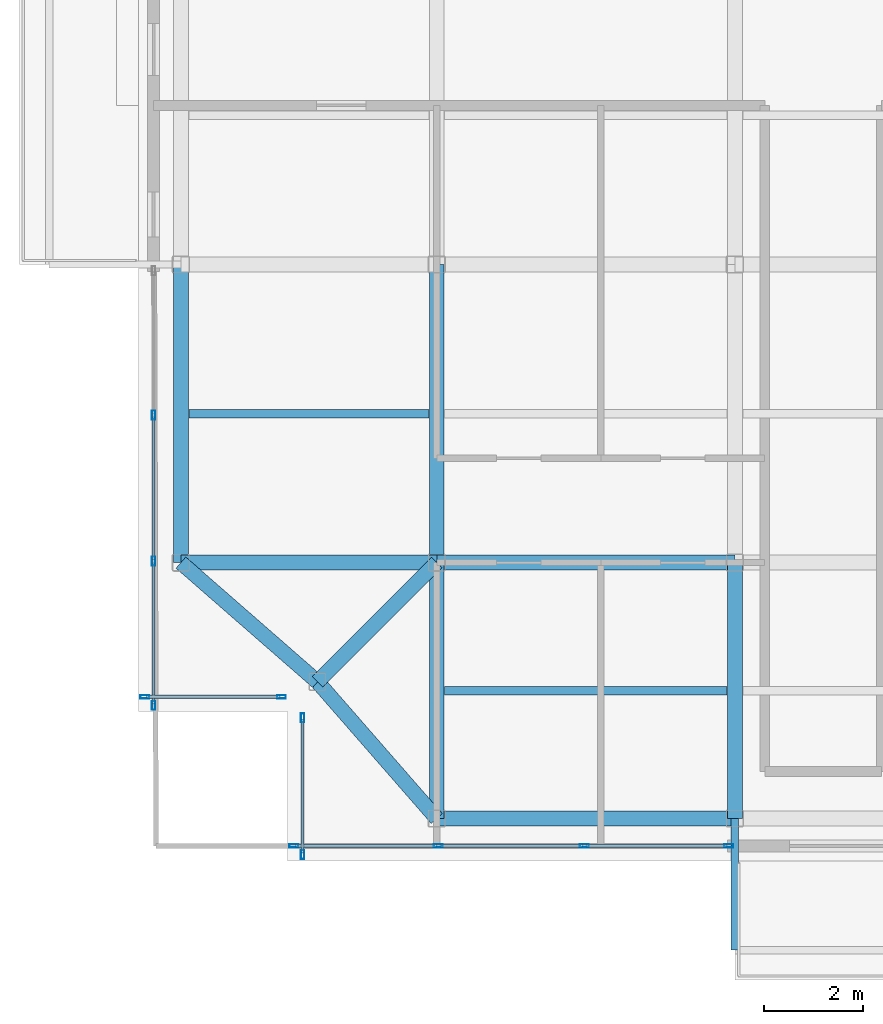
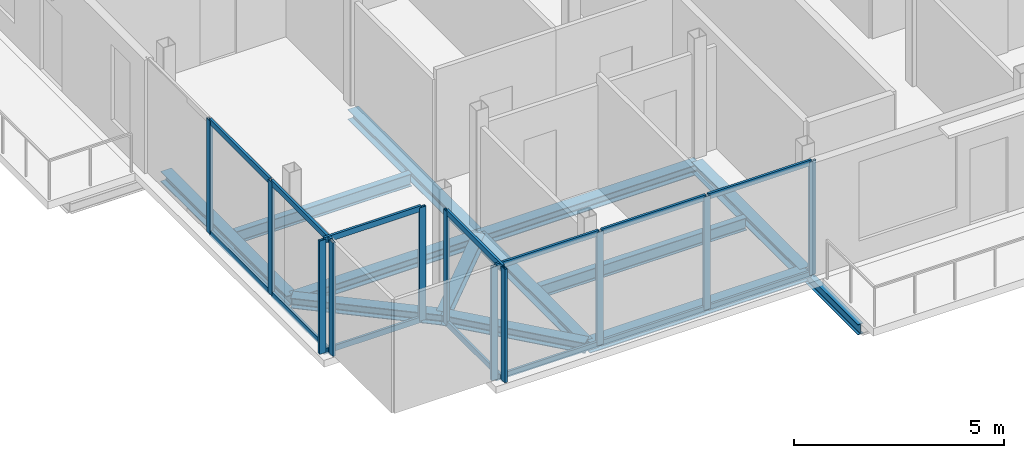
# One storey, part 2 of 18: 25 members, 13 beams, 4 elements without a shape of their own.
"""IFC4 building model written with IfcOpenShell, lengths in metres."""

from ifc_helpers import new_model, si_unit, direction, frame, origin, origin_2d, place, context, subcontext, project, spatial, hollow_rectangle, i_section, extrude, material, layer, layer_set, material_profile, profile_set, type_object, element, aggregate, save


model = new_model("IFC4")

# Units and contexts
model_context = context("Model", 3, precision=1e-05, world=origin(), true_north=direction((0.0, 1.0)))
body_context = subcontext(model_context, "Body", "Model", "MODEL_VIEW")
ifc_project = project(units=[si_unit("LENGTHUNIT", "METRE"), si_unit("AREAUNIT", "SQUARE_METRE"), si_unit("VOLUMEUNIT", "CUBIC_METRE"), si_unit("PLANEANGLEUNIT", "RADIAN"), si_unit("MASSUNIT", "GRAM", prefix="KILO"), si_unit("THERMODYNAMICTEMPERATUREUNIT", "KELVIN"), si_unit("POWERUNIT", "WATT")], contexts=[model_context])

# Site, building, storey
site_placement = place(None, origin())
site = spatial("IfcSite", under=ifc_project, at=site_placement, CompositionType="ELEMENT")
building_placement = place(site_placement, origin())
building = spatial("IfcBuilding", under=site, at=building_placement, Name="Svarakhadi Broadcast Tower", CompositionType="ELEMENT")
storey_placement = place(building_placement, frame((0.0, 0.0, 253.699951171875)))
storey = spatial("IfcBuildingStorey", under=building, at=storey_placement, Name="L63", CompositionType="ELEMENT", Elevation=253.699951171875)

# Beams
ifc_material_1 = material(Name="Steel S355J2 (IS 2062 E350C)", Category="steel")
ifc_material_profile_1 = material_profile(ifc_material_1, i_section(OverallWidth=0.169921875, OverallDepth=0.360107421875, WebThickness=0.008056640625, FlangeThickness=0.0126953125, FilletRadius=0.01806640625, at=origin_2d()), Name="NPB 360x170x57")
ifc_profile_set_1 = profile_set([ifc_material_profile_1], Name="Steel S355J2 (IS 2062 E350C)")
beam_type_1 = type_object("IfcBeamType", Name="Beam_NPB360", PredefinedType="BEAM", material=ifc_profile_set_1)
beam_1_placement = place(storey_placement, frame((1.010009765625, 9.0, -0.3798828125), z_axis=(1.0, 0.0, 0.0), x_axis=(0.0, 1.0, 0.0)))
element("IfcBeam", 1, at=beam_1_placement, inside=storey, type_object=beam_type_1, Name="L63 Secondary Composite Beam SB001", PredefinedType="BEAM", context=body_context, shape_type="SweptSolid", body=[
    extrude(i_section(OverallWidth=0.169921875, OverallDepth=0.360107421875, WebThickness=0.008056640625, FlangeThickness=0.0126953125, FilletRadius=0.01806640625, at=origin_2d()), origin(), (0.0, 0.0, 1.0), 4.830078125),
])
beam_2_placement = place(storey_placement, frame((6.159912109375, 3.425048828125, -0.3798828125), z_axis=(1.0, 0.0, 0.0), x_axis=(0.0, 1.0, 0.0)))
element("IfcBeam", 2, at=beam_2_placement, inside=storey, type_object=beam_type_1, Name="L63 Secondary Composite Beam SB004", PredefinedType="BEAM", context=body_context, shape_type="SweptSolid", body=[
    extrude(i_section(OverallWidth=0.169921875, OverallDepth=0.360107421875, WebThickness=0.008056640625, FlangeThickness=0.0126953125, FilletRadius=0.01806640625, at=origin_2d()), origin(), (0.0, 0.0, 1.0), 5.68017578125),
])

# Curtain wall, members
ifc_material_2 = material(Name="Anodised Bronze Aluminium AA 6063-T6", Category="aluminium")
ifc_layer = layer(ifc_material_2, 0.179931640625)
ifc_layer_set = layer_set([ifc_layer], Name="Anodised Bronze Aluminium AA 6063-T6")
curtain_wall_type = type_object("IfcCurtainWallType", Name="CW_Sys_05", PredefinedType="NOTDEFINED", material=ifc_layer_set)
curtain_wall_1_placement = place(storey_placement, origin())
curtain_wall_1 = element("IfcCurtainWall", 3, at=curtain_wall_1_placement, inside=storey, type_object=curtain_wall_type, Name="L63 Unitised Facade Curtain Wall 01", PredefinedType="NOTDEFINED")
ifc_material_profile_2 = material_profile(ifc_material_2, hollow_rectangle(XDim=0.070068359375, YDim=0.179931640625, WallThickness=0.005615234375, at=origin_2d()), Name="ALU MULLION 180x70x6")
ifc_profile_set_2 = profile_set([ifc_material_profile_2], Name="Anodised Bronze Aluminium AA 6063-T6")
member_type_1 = type_object("IfcMemberType", Name="CW_Sys_05_Mul", PredefinedType="MULLION", material=ifc_profile_set_2)
member_1_placement = place(storey_placement, frame((2.875, 3.300048828125, 0.0), z_axis=(0.0, 0.0, 1.0), x_axis=(0.0, -1.0, 0.0)))
member_1 = element("IfcMember", 4, at=member_1_placement, type_object=member_type_1, Name="CW-05 mullion 1", PredefinedType="MULLION", context=body_context, shape_type="SweptSolid", body=[
    extrude(hollow_rectangle(XDim=0.070068359375, YDim=0.179931640625, WallThickness=0.005615234375, at=origin_2d()), origin(), (0.0, 0.0, 1.0), 3.300048828125),
])
member_2_placement = place(storey_placement, frame((0.125, 3.300048828125, 0.0), z_axis=(0.0, 0.0, 1.0), x_axis=(0.0, -1.0, 0.0)))
member_2 = element("IfcMember", 5, at=member_2_placement, type_object=member_type_1, Name="CW-05 mullion 2", PredefinedType="MULLION", context=body_context, shape_type="SweptSolid", body=[
    extrude(hollow_rectangle(XDim=0.070068359375, YDim=0.179931640625, WallThickness=0.005615234375, at=origin_2d()), origin(), (0.0, 0.0, 1.0), 3.300048828125),
])

curtain_wall_2_placement = place(storey_placement, origin())
curtain_wall_2 = element("IfcCurtainWall", 6, at=curtain_wall_2_placement, inside=storey, type_object=curtain_wall_type, Name="L63 West Curtain Wall 02", PredefinedType="NOTDEFINED")
member_3_placement = place(storey_placement, frame((0.300048828125, 3.125, 0.0), z_axis=(0.0, 0.0, 1.0), x_axis=(-1.0, 0.0, 0.0)))
member_3 = element("IfcMember", 7, at=member_3_placement, type_object=member_type_1, Name="CW-05 mullion 1", PredefinedType="MULLION", context=body_context, shape_type="SweptSolid", body=[
    extrude(hollow_rectangle(XDim=0.070068359375, YDim=0.179931640625, WallThickness=0.005615234375, at=origin_2d()), origin(), (0.0, 0.0, 1.0), 3.300048828125),
])
member_4_placement = place(storey_placement, frame((0.300048828125, 6.030029296875, 0.0), z_axis=(0.0, 0.0, 1.0), x_axis=(-1.0, 0.0, 0.0)))
member_4 = element("IfcMember", 8, at=member_4_placement, type_object=member_type_1, Name="CW-05 mullion 2", PredefinedType="MULLION", context=body_context, shape_type="SweptSolid", body=[
    extrude(hollow_rectangle(XDim=0.070068359375, YDim=0.179931640625, WallThickness=0.005615234375, at=origin_2d()), origin(), (0.0, 0.0, 1.0), 3.300048828125),
])
member_5_placement = place(storey_placement, frame((0.300048828125, 8.969970703125, 0.0), z_axis=(0.0, 0.0, 1.0), x_axis=(-1.0, 0.0, 0.0)))
member_5 = element("IfcMember", 9, at=member_5_placement, type_object=member_type_1, Name="CW-05 mullion 3", PredefinedType="MULLION", context=body_context, shape_type="SweptSolid", body=[
    extrude(hollow_rectangle(XDim=0.070068359375, YDim=0.179931640625, WallThickness=0.005615234375, at=origin_2d()), origin(), (0.0, 0.0, 1.0), 3.300048828125),
])

curtain_wall_3_placement = place(storey_placement, origin())
curtain_wall_3 = element("IfcCurtainWall", 10, at=curtain_wall_3_placement, inside=storey, type_object=curtain_wall_type, Name="L63 South Curtain Wall 17", PredefinedType="NOTDEFINED")
member_6_placement = place(storey_placement, frame((11.875, 0.300048828125, 0.0), z_axis=(0.0, 0.0, 1.0), x_axis=(0.0, -1.0, 0.0)))
member_6 = element("IfcMember", 11, at=member_6_placement, type_object=member_type_1, Name="CW-05 mullion 1", PredefinedType="MULLION", context=body_context, shape_type="SweptSolid", body=[
    extrude(hollow_rectangle(XDim=0.070068359375, YDim=0.179931640625, WallThickness=0.005615234375, at=origin_2d()), origin(), (0.0, 0.0, 1.0), 3.300048828125),
])
member_7_placement = place(storey_placement, frame((8.969970703125, 0.300048828125, 0.0), z_axis=(0.0, 0.0, 1.0), x_axis=(0.0, -1.0, 0.0)))
member_7 = element("IfcMember", 12, at=member_7_placement, type_object=member_type_1, Name="CW-05 mullion 2", PredefinedType="MULLION", context=body_context, shape_type="SweptSolid", body=[
    extrude(hollow_rectangle(XDim=0.070068359375, YDim=0.179931640625, WallThickness=0.005615234375, at=origin_2d()), origin(), (0.0, 0.0, 1.0), 3.300048828125),
])
member_8_placement = place(storey_placement, frame((6.030029296875, 0.300048828125, 0.0), z_axis=(0.0, 0.0, 1.0), x_axis=(0.0, -1.0, 0.0)))
member_8 = element("IfcMember", 13, at=member_8_placement, type_object=member_type_1, Name="CW-05 mullion 3", PredefinedType="MULLION", context=body_context, shape_type="SweptSolid", body=[
    extrude(hollow_rectangle(XDim=0.070068359375, YDim=0.179931640625, WallThickness=0.005615234375, at=origin_2d()), origin(), (0.0, 0.0, 1.0), 3.300048828125),
])
member_9_placement = place(storey_placement, frame((3.125, 0.300048828125, 0.0), z_axis=(0.0, 0.0, 1.0), x_axis=(0.0, -1.0, 0.0)))
member_9 = element("IfcMember", 14, at=member_9_placement, type_object=member_type_1, Name="CW-05 mullion 4", PredefinedType="MULLION", context=body_context, shape_type="SweptSolid", body=[
    extrude(hollow_rectangle(XDim=0.070068359375, YDim=0.179931640625, WallThickness=0.005615234375, at=origin_2d()), origin(), (0.0, 0.0, 1.0), 3.300048828125),
])

curtain_wall_4_placement = place(storey_placement, origin())
curtain_wall_4 = element("IfcCurtainWall", 15, at=curtain_wall_4_placement, inside=storey, type_object=curtain_wall_type, Name="L63 Unitised Facade Curtain Wall 18", PredefinedType="NOTDEFINED")
member_10_placement = place(storey_placement, frame((3.300048828125, 0.125, 0.0), z_axis=(0.0, 0.0, 1.0), x_axis=(-1.0, 0.0, 0.0)))
member_10 = element("IfcMember", 16, at=member_10_placement, type_object=member_type_1, Name="CW-05 mullion 1", PredefinedType="MULLION", context=body_context, shape_type="SweptSolid", body=[
    extrude(hollow_rectangle(XDim=0.070068359375, YDim=0.179931640625, WallThickness=0.005615234375, at=origin_2d()), origin(), (0.0, 0.0, 1.0), 3.300048828125),
])
member_11_placement = place(storey_placement, frame((3.300048828125, 2.875, 0.0), z_axis=(0.0, 0.0, 1.0), x_axis=(-1.0, 0.0, 0.0)))
member_11 = element("IfcMember", 17, at=member_11_placement, type_object=member_type_1, Name="CW-05 mullion 2", PredefinedType="MULLION", context=body_context, shape_type="SweptSolid", body=[
    extrude(hollow_rectangle(XDim=0.070068359375, YDim=0.179931640625, WallThickness=0.005615234375, at=origin_2d()), origin(), (0.0, 0.0, 1.0), 3.300048828125),
])

# Member
ifc_material_profile_3 = material_profile(ifc_material_2, hollow_rectangle(XDim=0.06494140625, YDim=0.1650390625, WallThickness=0.0048828125, at=origin_2d()), Name="ALU TRANSOM 165x65x5")
ifc_profile_set_3 = profile_set([ifc_material_profile_3], Name="Anodised Bronze Aluminium AA 6063-T6")
member_type_2 = type_object("IfcMemberType", Name="CW_Sys_05_Trn", PredefinedType="USERDEFINED", material=ifc_profile_set_3)
member_12_placement = place(storey_placement, frame((2.840087890625, 3.300048828125, 0.032470703125), z_axis=(-1.0, 0.0, 0.0), x_axis=(0.0, -1.0, 0.0)))
member_12 = element("IfcMember", 18, at=member_12_placement, type_object=member_type_2, Name="CW-05 transom 1.1", ObjectType="TRANSOM", PredefinedType="USERDEFINED", context=body_context, shape_type="SweptSolid", body=[
    extrude(hollow_rectangle(XDim=0.06494140625, YDim=0.1650390625, WallThickness=0.0048828125, at=origin_2d()), origin(), (0.0, 0.0, 1.0), 2.68017578125),
])

member_13_placement = place(storey_placement, frame((2.840087890625, 3.300048828125, 3.267578125), z_axis=(-1.0, 0.0, 0.0), x_axis=(0.0, -1.0, 0.0)))
member_13 = element("IfcMember", 19, at=member_13_placement, type_object=member_type_2, Name="CW-05 transom 1.2", ObjectType="TRANSOM", PredefinedType="USERDEFINED", context=body_context, shape_type="SweptSolid", body=[
    extrude(hollow_rectangle(XDim=0.06494140625, YDim=0.1650390625, WallThickness=0.0048828125, at=origin_2d()), origin(), (0.0, 0.0, 1.0), 2.68017578125),
])

aggregate(curtain_wall_1, [member_1, member_2, member_12, member_13])

member_14_placement = place(storey_placement, frame((0.300048828125, 3.159912109375, 0.032470703125), z_axis=(0.0, 1.0, 0.0), x_axis=(-1.0, 0.0, 0.0)))
member_14 = element("IfcMember", 20, at=member_14_placement, type_object=member_type_2, Name="CW-05 transom 1.1", ObjectType="TRANSOM", PredefinedType="USERDEFINED", context=body_context, shape_type="SweptSolid", body=[
    extrude(hollow_rectangle(XDim=0.06494140625, YDim=0.1650390625, WallThickness=0.0048828125, at=origin_2d()), origin(), (0.0, 0.0, 1.0), 2.835205078125),
])

member_15_placement = place(storey_placement, frame((0.300048828125, 3.159912109375, 3.267578125), z_axis=(0.0, 1.0, 0.0), x_axis=(-1.0, 0.0, 0.0)))
member_15 = element("IfcMember", 21, at=member_15_placement, type_object=member_type_2, Name="CW-05 transom 1.2", ObjectType="TRANSOM", PredefinedType="USERDEFINED", context=body_context, shape_type="SweptSolid", body=[
    extrude(hollow_rectangle(XDim=0.06494140625, YDim=0.1650390625, WallThickness=0.0048828125, at=origin_2d()), origin(), (0.0, 0.0, 1.0), 2.835205078125),
])

member_16_placement = place(storey_placement, frame((0.300048828125, 6.06494140625, 0.032470703125), z_axis=(0.0, 1.0, 0.0), x_axis=(-1.0, 0.0, 0.0)))
member_16 = element("IfcMember", 22, at=member_16_placement, type_object=member_type_2, Name="CW-05 transom 2.1", ObjectType="TRANSOM", PredefinedType="USERDEFINED", context=body_context, shape_type="SweptSolid", body=[
    extrude(hollow_rectangle(XDim=0.06494140625, YDim=0.1650390625, WallThickness=0.0048828125, at=origin_2d()), origin(), (0.0, 0.0, 1.0), 2.8701171875),
])

member_17_placement = place(storey_placement, frame((0.300048828125, 6.06494140625, 3.267578125), z_axis=(0.0, 1.0, 0.0), x_axis=(-1.0, 0.0, 0.0)))
member_17 = element("IfcMember", 23, at=member_17_placement, type_object=member_type_2, Name="CW-05 transom 2.2", ObjectType="TRANSOM", PredefinedType="USERDEFINED", context=body_context, shape_type="SweptSolid", body=[
    extrude(hollow_rectangle(XDim=0.06494140625, YDim=0.1650390625, WallThickness=0.0048828125, at=origin_2d()), origin(), (0.0, 0.0, 1.0), 2.8701171875),
])

aggregate(curtain_wall_2, [member_3, member_4, member_5, member_14, member_15, member_16, member_17])

member_18_placement = place(storey_placement, frame((11.840087890625, 0.300048828125, 0.032470703125), z_axis=(-1.0, 0.0, 0.0), x_axis=(0.0, -1.0, 0.0)))
member_18 = element("IfcMember", 24, at=member_18_placement, type_object=member_type_2, Name="CW-05 transom 1.1", ObjectType="TRANSOM", PredefinedType="USERDEFINED", context=body_context, shape_type="SweptSolid", body=[
    extrude(hollow_rectangle(XDim=0.06494140625, YDim=0.1650390625, WallThickness=0.0048828125, at=origin_2d()), origin(), (0.0, 0.0, 1.0), 2.835205078125),
])

member_19_placement = place(storey_placement, frame((11.840087890625, 0.300048828125, 3.267578125), z_axis=(-1.0, 0.0, 0.0), x_axis=(0.0, -1.0, 0.0)))
member_19 = element("IfcMember", 25, at=member_19_placement, type_object=member_type_2, Name="CW-05 transom 1.2", ObjectType="TRANSOM", PredefinedType="USERDEFINED", context=body_context, shape_type="SweptSolid", body=[
    extrude(hollow_rectangle(XDim=0.06494140625, YDim=0.1650390625, WallThickness=0.0048828125, at=origin_2d()), origin(), (0.0, 0.0, 1.0), 2.835205078125),
])

member_20_placement = place(storey_placement, frame((8.93505859375, 0.300048828125, 0.032470703125), z_axis=(-1.0, 0.0, 0.0), x_axis=(0.0, -1.0, 0.0)))
member_20 = element("IfcMember", 26, at=member_20_placement, type_object=member_type_2, Name="CW-05 transom 2.1", ObjectType="TRANSOM", PredefinedType="USERDEFINED", context=body_context, shape_type="SweptSolid", body=[
    extrude(hollow_rectangle(XDim=0.06494140625, YDim=0.1650390625, WallThickness=0.0048828125, at=origin_2d()), origin(), (0.0, 0.0, 1.0), 2.8701171875),
])

member_21_placement = place(storey_placement, frame((8.93505859375, 0.300048828125, 3.267578125), z_axis=(-1.0, 0.0, 0.0), x_axis=(0.0, -1.0, 0.0)))
member_21 = element("IfcMember", 27, at=member_21_placement, type_object=member_type_2, Name="CW-05 transom 2.2", ObjectType="TRANSOM", PredefinedType="USERDEFINED", context=body_context, shape_type="SweptSolid", body=[
    extrude(hollow_rectangle(XDim=0.06494140625, YDim=0.1650390625, WallThickness=0.0048828125, at=origin_2d()), origin(), (0.0, 0.0, 1.0), 2.8701171875),
])

member_22_placement = place(storey_placement, frame((5.9951171875, 0.300048828125, 0.032470703125), z_axis=(-1.0, 0.0, 0.0), x_axis=(0.0, -1.0, 0.0)))
member_22 = element("IfcMember", 28, at=member_22_placement, type_object=member_type_2, Name="CW-05 transom 3.1", ObjectType="TRANSOM", PredefinedType="USERDEFINED", context=body_context, shape_type="SweptSolid", body=[
    extrude(hollow_rectangle(XDim=0.06494140625, YDim=0.1650390625, WallThickness=0.0048828125, at=origin_2d()), origin(), (0.0, 0.0, 1.0), 2.835205078125),
])

member_23_placement = place(storey_placement, frame((5.9951171875, 0.300048828125, 3.267578125), z_axis=(-1.0, 0.0, 0.0), x_axis=(0.0, -1.0, 0.0)))
member_23 = element("IfcMember", 29, at=member_23_placement, type_object=member_type_2, Name="CW-05 transom 3.2", ObjectType="TRANSOM", PredefinedType="USERDEFINED", context=body_context, shape_type="SweptSolid", body=[
    extrude(hollow_rectangle(XDim=0.06494140625, YDim=0.1650390625, WallThickness=0.0048828125, at=origin_2d()), origin(), (0.0, 0.0, 1.0), 2.835205078125),
])

aggregate(curtain_wall_3, [member_6, member_7, member_8, member_9, member_18, member_19, member_20, member_21, member_22, member_23])

member_24_placement = place(storey_placement, frame((3.300048828125, 0.159912109375, 0.032470703125), z_axis=(0.0, 1.0, 0.0), x_axis=(-1.0, 0.0, 0.0)))
member_24 = element("IfcMember", 30, at=member_24_placement, type_object=member_type_2, Name="CW-05 transom 1.1", ObjectType="TRANSOM", PredefinedType="USERDEFINED", context=body_context, shape_type="SweptSolid", body=[
    extrude(hollow_rectangle(XDim=0.06494140625, YDim=0.1650390625, WallThickness=0.0048828125, at=origin_2d()), origin(), (0.0, 0.0, 1.0), 2.68017578125),
])

member_25_placement = place(storey_placement, frame((3.300048828125, 0.159912109375, 3.267578125), z_axis=(0.0, 1.0, 0.0), x_axis=(-1.0, 0.0, 0.0)))
member_25 = element("IfcMember", 31, at=member_25_placement, type_object=member_type_2, Name="CW-05 transom 1.2", ObjectType="TRANSOM", PredefinedType="USERDEFINED", context=body_context, shape_type="SweptSolid", body=[
    extrude(hollow_rectangle(XDim=0.06494140625, YDim=0.1650390625, WallThickness=0.0048828125, at=origin_2d()), origin(), (0.0, 0.0, 1.0), 2.68017578125),
])

aggregate(curtain_wall_4, [member_10, member_11, member_24, member_25])

# Beams
ifc_material_profile_4 = material_profile(ifc_material_1, i_section(OverallWidth=0.300048828125, OverallDepth=0.300048828125, WebThickness=0.010986328125, FlangeThickness=0.01904296875, FilletRadius=0.027099609375, at=origin_2d()), Name="WPB 300x300x117")
ifc_profile_set_4 = profile_set([ifc_material_profile_4], Name="Steel S355J2 (IS 2062 E350C)")
beam_type_2 = type_object("IfcBeamType", Name="Girder_WPB300", PredefinedType="USERDEFINED", material=ifc_profile_set_4)
beam_3_placement = place(storey_placement, frame((3.60009765625, 3.60009765625, -0.349853515625), z_axis=(0.707106781187, 0.707106781187, 0.0), x_axis=(-0.707106781187, 0.707106781187, 0.0)))
element("IfcBeam", 32, at=beam_3_placement, inside=storey, type_object=beam_type_2, Name="L63 Corner Tie Girder G001", ObjectType="GIRDER", PredefinedType="USERDEFINED", context=body_context, shape_type="SweptSolid", body=[
    extrude(i_section(OverallWidth=0.300048828125, OverallDepth=0.300048828125, WebThickness=0.010986328125, FlangeThickness=0.01904296875, FilletRadius=0.027099609375, at=origin_2d()), origin(), (0.0, 0.0, 1.0), 3.39404296875),
])
for number, where, z_axis, x_axis, name in (
    (33, (3.60009765625, 3.60009765625, -0.349853515625), (-0.753437912176, 0.657519058655, 0.0), (-0.657519058655, -0.753437912176, 0.0), "L63 Corner Tie Girder G002"),
    (34, (3.60009765625, 3.60009765625, -0.349853515625), (0.657519058655, -0.753437912176, 0.0), (0.753437912176, 0.657519058655, 0.0), "L63 Corner Tie Girder G003"),
):
    element("IfcBeam", number, at=place(storey_placement, frame(where, z_axis=z_axis, x_axis=x_axis)), inside=storey, type_object=beam_type_2, Name=name, ObjectType="GIRDER", PredefinedType="USERDEFINED", context=body_context, shape_type="SweptSolid", body=[
        extrude(i_section(OverallWidth=0.300048828125, OverallDepth=0.300048828125, WebThickness=0.010986328125, FlangeThickness=0.01904296875, FilletRadius=0.027099609375, at=origin_2d()), origin(), (0.0, 0.0, 1.0), 3.64990234375),
    ])
beam_4_placement = place(storey_placement, frame((6.0, 0.85009765625, -0.349853515625), z_axis=(1.0, 0.0, 0.0), x_axis=(0.0, 1.0, 0.0)))
element("IfcBeam", 35, at=beam_4_placement, inside=storey, type_object=beam_type_2, Name="L63 Primary E-W Girder G004", ObjectType="GIRDER", PredefinedType="USERDEFINED", context=body_context, shape_type="SweptSolid", body=[
    extrude(i_section(OverallWidth=0.300048828125, OverallDepth=0.300048828125, WebThickness=0.010986328125, FlangeThickness=0.01904296875, FilletRadius=0.027099609375, at=origin_2d()), origin(), (0.0, 0.0, 1.0), 6.0),
])
beam_5_placement = place(storey_placement, frame((0.85009765625, 6.0, -0.349853515625), z_axis=(1.0, 0.0, 0.0), x_axis=(0.0, 1.0, 0.0)))
element("IfcBeam", 36, at=beam_5_placement, inside=storey, type_object=beam_type_2, Name="L63 Primary E-W Girder G008", ObjectType="GIRDER", PredefinedType="USERDEFINED", context=body_context, shape_type="SweptSolid", body=[
    extrude(i_section(OverallWidth=0.300048828125, OverallDepth=0.300048828125, WebThickness=0.010986328125, FlangeThickness=0.01904296875, FilletRadius=0.027099609375, at=origin_2d()), origin(), (0.0, 0.0, 1.0), 5.14990234375),
])
for number, where, z_axis, x_axis, name in (
    (37, (6.0, 6.0, -0.349853515625), (1.0, 0.0, 0.0), (0.0, 1.0, 0.0), "L63 Primary E-W Girder G009"),
    (38, (0.85009765625, 6.0, -0.349853515625), (0.0, 1.0, 0.0), (-1.0, 0.0, 0.0), "L63 Primary N-S Girder G026"),
):
    element("IfcBeam", number, at=place(storey_placement, frame(where, z_axis=z_axis, x_axis=x_axis)), inside=storey, type_object=beam_type_2, Name=name, ObjectType="GIRDER", PredefinedType="USERDEFINED", context=body_context, shape_type="SweptSolid", body=[
        extrude(i_section(OverallWidth=0.300048828125, OverallDepth=0.300048828125, WebThickness=0.010986328125, FlangeThickness=0.01904296875, FilletRadius=0.027099609375, at=origin_2d()), origin(), (0.0, 0.0, 1.0), 6.0),
    ])
beam_6_placement = place(storey_placement, frame((6.0, 0.85009765625, -0.349853515625), z_axis=(0.0, 1.0, 0.0), x_axis=(-1.0, 0.0, 0.0)))
element("IfcBeam", 39, at=beam_6_placement, inside=storey, type_object=beam_type_2, Name="L63 Primary N-S Girder G029", ObjectType="GIRDER", PredefinedType="USERDEFINED", context=body_context, shape_type="SweptSolid", body=[
    extrude(i_section(OverallWidth=0.300048828125, OverallDepth=0.300048828125, WebThickness=0.010986328125, FlangeThickness=0.01904296875, FilletRadius=0.027099609375, at=origin_2d()), origin(), (0.0, 0.0, 1.0), 5.14990234375),
])
beam_7_placement = place(storey_placement, frame((6.0, 6.0, -0.349853515625), z_axis=(0.0, 1.0, 0.0), x_axis=(-1.0, 0.0, 0.0)))
element("IfcBeam", 40, at=beam_7_placement, inside=storey, type_object=beam_type_2, Name="L63 Primary N-S Girder G030", ObjectType="GIRDER", PredefinedType="USERDEFINED", context=body_context, shape_type="SweptSolid", body=[
    extrude(i_section(OverallWidth=0.300048828125, OverallDepth=0.300048828125, WebThickness=0.010986328125, FlangeThickness=0.01904296875, FilletRadius=0.027099609375, at=origin_2d()), origin(), (0.0, 0.0, 1.0), 6.0),
])
beam_8_placement = place(storey_placement, frame((12.0, 0.85009765625, -0.349853515625), z_axis=(0.0, 1.0, 0.0), x_axis=(-1.0, 0.0, 0.0)))
element("IfcBeam", 41, at=beam_8_placement, inside=storey, type_object=beam_type_2, Name="L63 Primary N-S Girder G033", ObjectType="GIRDER", PredefinedType="USERDEFINED", context=body_context, shape_type="SweptSolid", body=[
    extrude(i_section(OverallWidth=0.300048828125, OverallDepth=0.300048828125, WebThickness=0.010986328125, FlangeThickness=0.01904296875, FilletRadius=0.027099609375, at=origin_2d()), origin(), (0.0, 0.0, 1.0), 5.14990234375),
])
ifc_material_profile_5 = material_profile(ifc_material_1, i_section(OverallWidth=0.14990234375, OverallDepth=0.300048828125, WebThickness=0.007080078125, FlangeThickness=0.0107421875, FilletRadius=0.014892578125, at=origin_2d()), Name="NPB 300x150x37")
ifc_profile_set_5 = profile_set([ifc_material_profile_5], Name="Steel S355J2 (IS 2062 E350C)")
beam_type_3 = type_object("IfcBeamType", Name="Spandrel_NPB300", PredefinedType="SPANDREL", material=ifc_profile_set_5)
beam_9_placement = place(storey_placement, frame((12.0, 0.85009765625, -0.375), z_axis=(0.0, -1.0, 0.0), x_axis=(1.0, 0.0, 0.0)))
element("IfcBeam", 42, at=beam_9_placement, inside=storey, type_object=beam_type_3, Name="L63 Balcony Cantilever Bracket 1A", PredefinedType="SPANDREL", context=body_context, shape_type="SweptSolid", body=[
    extrude(i_section(OverallWidth=0.14990234375, OverallDepth=0.300048828125, WebThickness=0.007080078125, FlangeThickness=0.0107421875, FilletRadius=0.014892578125, at=origin_2d()), origin(), (0.0, 0.0, 1.0), 2.650146484375),
])

save(model, "model.ifc")
